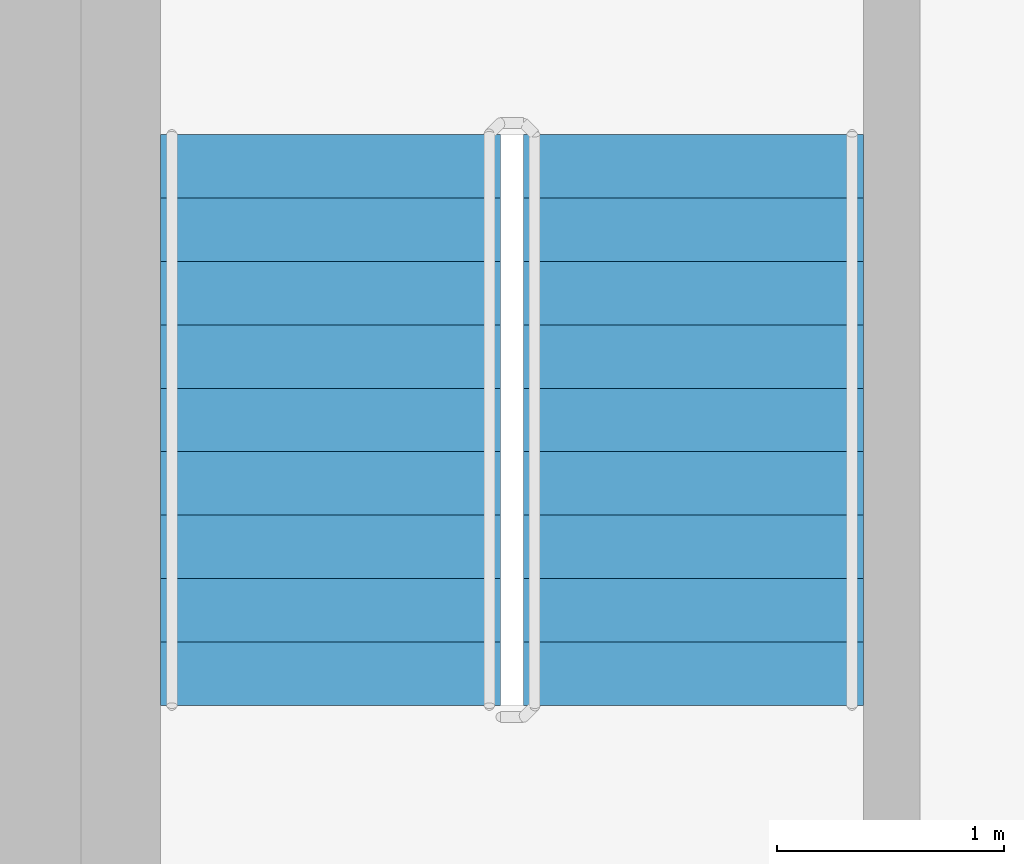
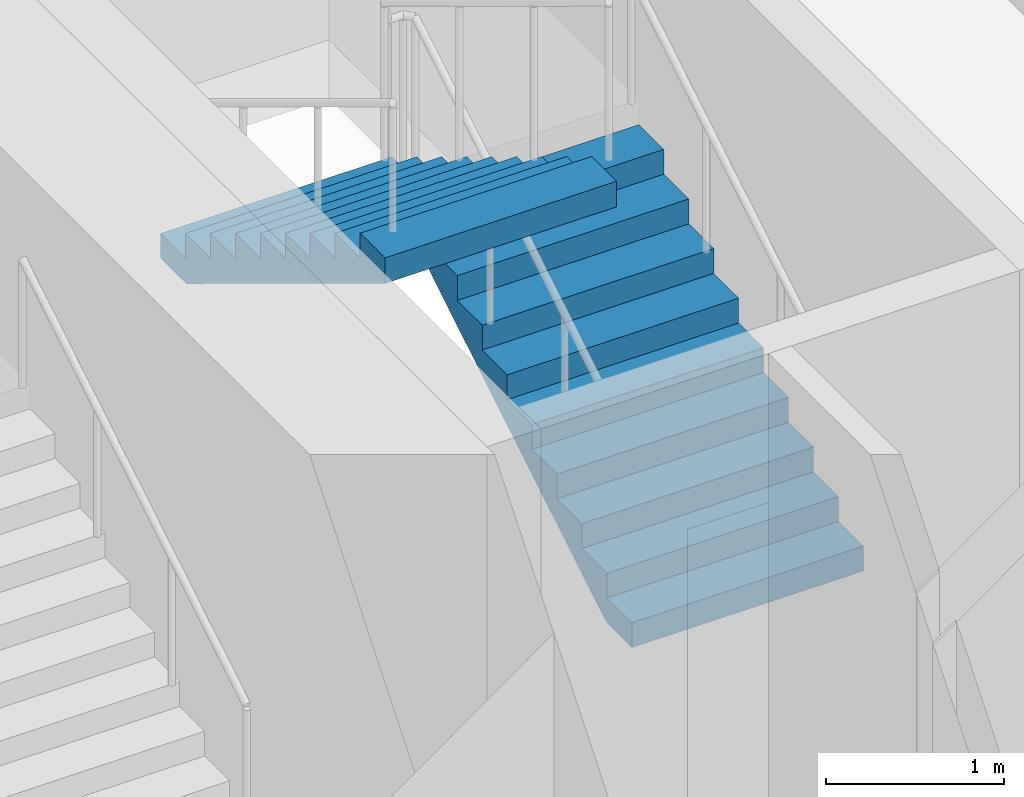
# One storey, part 14 of 16: 2 stair flights, 1 element without a shape of its own.
"""IFC4 building model written with IfcOpenShell, lengths in metres."""

import ifcopenshell
import ifcopenshell.guid

model = None  # the IFC model being written
_history = None  # IfcOwnerHistory: only IFC2X3 demands one
_inside = {}  # id of a spatial element -> (the spatial element, [elements in it])
_under = {}  # id of a project, library or spatial element -> (it, [spatial elements below it])
_declared = {}  # id of a project -> (the project, [libraries it declares])
_typed = {}  # id of a type object -> (the type object, [elements of that type])
_made_of = {}  # id of a material, layer set ... -> (it, [elements and type objects made of it])


def new_model(schema):
    """Start an empty IFC model of exactly this schema.

    Asked for "IFC4X3", IfcOpenShell would pick the latest addendum, in which some entities
    have other attributes; the version numbers below select the first issue.
    IFC2X3 requires an IfcOwnerHistory on every rooted entity: one is made here for all.
    """
    global model, _history
    if schema == "IFC4X3":
        model = ifcopenshell.file(schema_version=(4, 3, 0, 0))
    else:
        model = ifcopenshell.file(schema=schema)
    _inside.clear()
    _under.clear()
    _declared.clear()
    _typed.clear()
    _made_of.clear()
    _history = None
    if model.schema == "IFC2X3":
        org = make("IfcOrganization", Name="unknown")
        user = make(
            "IfcPersonAndOrganization",
            ThePerson=make("IfcPerson", FamilyName="unknown"),
            TheOrganization=org,
        )
        app = make(
            "IfcApplication",
            ApplicationDeveloper=org,
            Version="unknown",
            ApplicationFullName="unknown",
            ApplicationIdentifier="unknown",
        )
        _history = make(
            "IfcOwnerHistory",
            OwningUser=user,
            OwningApplication=app,
            ChangeAction="ADDED",
            CreationDate=0,
        )
    return model


def make(cls, **values):
    """One entity of the class cls with the attributes given. An attribute that is None is left unset."""
    return model.create_entity(
        cls, **{name: value for name, value in values.items() if value is not None}
    )


def rooted(cls, **values):
    """An entity with a GlobalId (a new one), such as an element, a storey or a relation."""
    return make(cls, GlobalId=ifcopenshell.guid.new(), OwnerHistory=_history, **values)


def si_unit(unit_type, name, prefix=None):
    """IfcSIUnit, for example si_unit("LENGTHUNIT", "METRE", prefix="MILLI")."""
    return make("IfcSIUnit", UnitType=unit_type, Prefix=prefix, Name=name)


def assignment(units):
    """IfcUnitAssignment: the units of a project."""
    return None if units is None else make("IfcUnitAssignment", Units=units)


def point(xyz):
    """IfcCartesianPoint."""
    return None if xyz is None else make("IfcCartesianPoint", Coordinates=xyz)


def direction(xyz):
    """IfcDirection."""
    return None if xyz is None else make("IfcDirection", DirectionRatios=xyz)


def frame(location, z_axis=None, x_axis=None):
    """IfcAxis2Placement3D, a coordinate frame: its origin and axes. An axis left out is left unset."""
    return make(
        "IfcAxis2Placement3D",
        Location=point(location),
        Axis=direction(z_axis),
        RefDirection=direction(x_axis),
    )


def origin():
    """The frame at (0, 0, 0) with its axes left unset."""
    return frame((0.0, 0.0, 0.0))


def place(relative_to, where):
    """IfcLocalPlacement: puts the frame where relative to a parent placement (None: the world)."""
    return make(
        "IfcLocalPlacement", PlacementRelTo=relative_to, RelativePlacement=where
    )


def context(
    kind, dimensions, precision=None, world=None, true_north=None, identifier=None
):
    """IfcGeometricRepresentationContext, for example the 3D "Model" context."""
    return make(
        "IfcGeometricRepresentationContext",
        ContextIdentifier=identifier,
        ContextType=kind,
        CoordinateSpaceDimension=dimensions,
        Precision=precision,
        WorldCoordinateSystem=world,
        TrueNorth=true_north,
    )


def subcontext(parent, identifier, kind, view, scale=None):
    """IfcGeometricRepresentationSubContext, for example "Body" below "Model"."""
    return make(
        "IfcGeometricRepresentationSubContext",
        ContextIdentifier=identifier,
        ContextType=kind,
        ParentContext=parent,
        TargetScale=scale,
        TargetView=view,
    )


def project(units=None, contexts=None):
    """IfcProject with its units and contexts."""
    return rooted(
        "IfcProject",
        Name="project",
        RepresentationContexts=contexts,
        UnitsInContext=assignment(units),
    )


def spatial(cls, under=None, at=None, **own):
    """A site, building, storey or space (cls), placed at a placement, below another one or the project."""
    s = rooted(cls, ObjectPlacement=at, **own)
    if under is not None:
        _under.setdefault(under.id(), (under, []))[1].append(s)
    return s


def point_list(points):
    """IfcCartesianPointList2D or 3D."""
    cls = (
        "IfcCartesianPointList2D" if len(points[0]) == 2 else "IfcCartesianPointList3D"
    )
    return make(cls, CoordList=points)


def triangles(points, corners, closed=None, point_numbers=None):
    """IfcTriangulatedFaceSet: each triangle names its three corners, points numbered from 1."""
    return make(
        "IfcTriangulatedFaceSet",
        Coordinates=point_list(points),
        Closed=closed,
        CoordIndex=corners,
        PnIndex=point_numbers,
    )


def shape(context_of_items, identifier, shape_type, items):
    """IfcShapeRepresentation: the items that make up one representation, for example the "Body"."""
    return make(
        "IfcShapeRepresentation",
        ContextOfItems=context_of_items,
        RepresentationIdentifier=identifier,
        RepresentationType=shape_type,
        Items=items,
    )


def source(mapping_origin, context_of_items, identifier, shape_type, items):
    """IfcRepresentationMap: a shape defined once, which mapped items show again and again."""
    return make(
        "IfcRepresentationMap",
        MappingOrigin=mapping_origin,
        MappedRepresentation=shape(context_of_items, identifier, shape_type, items),
    )


def transform(
    local_origin,
    x_axis=None,
    y_axis=None,
    z_axis=None,
    scale=None,
    scale2=None,
    scale3=None,
    uniform=True,
):
    """IfcCartesianTransformationOperator3D, or its non-uniform kind. x_axis, y_axis, z_axis: its Axis1, 2, 3."""
    if uniform:
        return make(
            "IfcCartesianTransformationOperator3D",
            Axis1=direction(x_axis),
            Axis2=direction(y_axis),
            LocalOrigin=point(local_origin),
            Scale=scale,
            Axis3=direction(z_axis),
        )
    return make(
        "IfcCartesianTransformationOperator3DnonUniform",
        Axis1=direction(x_axis),
        Axis2=direction(y_axis),
        LocalOrigin=point(local_origin),
        Scale=scale,
        Axis3=direction(z_axis),
        Scale2=scale2,
        Scale3=scale3,
    )


def mapped(mapping_source, mapping_target):
    """IfcMappedItem: shows the shape of a source again, moved by a transform."""
    return make(
        "IfcMappedItem", MappingSource=mapping_source, MappingTarget=mapping_target
    )


def material(Name=None, Category=None):
    """IfcMaterial."""
    return make("IfcMaterial", Name=Name, Category=Category)


def made_of(thing, what):
    """Note that an element or type object is made of a material, layer set ...; save() writes the relation."""
    if what is not None:
        _made_of.setdefault(what.id(), (what, []))[1].append(thing)
    return thing


def type_object(cls, material=None, **own):
    """A type object (cls), such as IfcWallType, which elements share."""
    return made_of(rooted(cls, **own), material)


def element(
    cls,
    number,
    at=None,
    inside=None,
    cuts=None,
    type_object=None,
    material=None,
    context=None,
    identifier="Body",
    shape_type=None,
    held_by="IfcProductDefinitionShape",
    body=None,
    shapes=None,
    **own,
):
    """One element of the class cls, such as IfcWall. Its Tag is "e" and its number.

    at: its placement. inside: the storey or other place that contains it. cuts: it is an
    opening in that element (IfcRelVoidsElement). A single representation is given by context,
    identifier, shape_type and body (its items); several are given by shapes. held_by: the class
    of the entity that holds the representations. save() writes the other relations.
    """
    e = rooted(cls, Tag="e%d" % number, ObjectPlacement=at, **own)
    if body is not None:
        shapes = [shape(context, identifier, shape_type, body)]
    if shapes is not None:
        e.Representation = make(held_by, Representations=shapes)
    if inside is not None:
        _inside.setdefault(inside.id(), (inside, []))[1].append(e)
    if cuts is not None:
        rooted(
            "IfcRelVoidsElement", RelatingBuildingElement=cuts, RelatedOpeningElement=e
        )
    if type_object is not None:
        _typed.setdefault(type_object.id(), (type_object, []))[1].append(e)
    return made_of(e, material)


def aggregate(whole, parts):
    """IfcRelAggregates: a whole, such as a stair, and the parts it consists of."""
    return rooted("IfcRelAggregates", RelatingObject=whole, RelatedObjects=parts)


def save(model, path):
    """Write the relations noted so far, then the file.

    IfcRelAggregates (storeys below a building ...), IfcRelContainedInSpatialStructure (elements
    in a storey), IfcRelDefinesByType, IfcRelAssociatesMaterial and IfcRelDeclares: one each for
    every whole, place, type object, material and project.
    """
    for whole, parts in _under.values():
        aggregate(whole, parts)
    for where, things in _inside.values():
        rooted(
            "IfcRelContainedInSpatialStructure",
            RelatedElements=things,
            RelatingStructure=where,
        )
    for kind, things in _typed.values():
        rooted("IfcRelDefinesByType", RelatedObjects=things, RelatingType=kind)
    for what, things in _made_of.values():
        rooted("IfcRelAssociatesMaterial", RelatedObjects=things, RelatingMaterial=what)
    for by, libraries in _declared.values():
        rooted("IfcRelDeclares", RelatingContext=by, RelatedDefinitions=libraries)
    model.write(path)


model = new_model("IFC4")

# Units and contexts
model_context = context("Model", 3, precision=1e-05, world=origin(), true_north=direction((0.0, 1.0)))
body_context = subcontext(model_context, "Body", "Model", "MODEL_VIEW")
ifc_project = project(units=[si_unit("LENGTHUNIT", "METRE"), si_unit("AREAUNIT", "SQUARE_METRE"), si_unit("VOLUMEUNIT", "CUBIC_METRE"), si_unit("PLANEANGLEUNIT", "RADIAN"), si_unit("MASSUNIT", "GRAM", prefix="KILO")], contexts=[model_context])

# Site, building, storey
site_placement = place(None, origin())
site = spatial("IfcSite", under=ifc_project, at=site_placement, CompositionType="ELEMENT")
building_placement = place(site_placement, origin())
building = spatial("IfcBuilding", under=site, at=building_placement, Name="Kilnfold Tower and Market Hall", CompositionType="ELEMENT")
storey_placement = place(building_placement, frame((0.0, 0.0, 168.5)))
storey = spatial("IfcBuildingStorey", under=building, at=storey_placement, Name="L39", CompositionType="ELEMENT", Elevation=168.5)

# Stair, stair flights
ifc_material_1 = material(Name="Concrete C40/50", Category="concrete")
stair_type = type_object("IfcStairType", Name="CORE STAIR 1500", PredefinedType="HALF_TURN_STAIR", material=ifc_material_1)
stair_placement = place(storey_placement, origin())
stair = element("IfcStair", 1, at=stair_placement, inside=storey, type_object=stair_type, Name="L39 ST5", PredefinedType="HALF_TURN_STAIR")
ifc_material_2 = material(Name="Concrete C40/50", Category="concrete")
stair_flight_type = type_object("IfcStairFlightType", Name="CORE STAIR FLIGHT 1500", PredefinedType="STRAIGHT", material=ifc_material_2)
shared_shape = source(origin(), body_context, "Body", "Tessellation", [
    triangles([(0.0, 0.75, 0.0), (0.0, 0.65625, 0.0), (0.0, 0.5625, 0.0), (0.0, 0.46875, 0.0), (0.0, 0.375, 0.0), (0.0, 0.28125, 0.0), (0.0, 0.1875, 0.0), (0.0, 0.09375, 0.0), (0.0, 0.0, 0.0), (0.0, -0.09375, 0.0), (0.0, -0.1875, 0.0), (0.0, -0.28125, 0.0), (0.0, -0.375, 0.0), (0.0, -0.46875, 0.0), (0.0, -0.5625, 0.0), (0.0, -0.65625, 0.0), (0.0, -0.75, 0.0), (0.0, 0.75, 0.169921875), (0.0, 0.65625, 0.169921875), (0.0, 0.5625, 0.169921875), (0.0, 0.46875, 0.169921875), (0.0, 0.375, 0.169921875), (0.0, 0.28125, 0.169921875), (0.0, 0.1875, 0.169921875), (0.0, 0.09375, 0.169921875), (0.0, 0.0, 0.169921875), (0.0, -0.09375, 0.169921875), (0.0, -0.1875, 0.169921875), (0.0, -0.28125, 0.169921875), (0.0, -0.375, 0.169921875), (0.0, -0.46875, 0.169921875), (0.0, -0.5625, 0.169921875), (0.0, -0.65625, 0.169921875), (0.0, -0.75, 0.169921875), (0.280029296875, 0.75, 0.169921875), (0.280029296875, 0.65625, 0.169921875), (0.280029296875, 0.5625, 0.169921875), (0.280029296875, 0.46875, 0.169921875), (0.280029296875, 0.375, 0.169921875), (0.280029296875, 0.28125, 0.169921875), (0.280029296875, 0.1875, 0.169921875), (0.280029296875, 0.09375, 0.169921875), (0.280029296875, 0.0, 0.169921875), (0.280029296875, -0.09375, 0.169921875), (0.280029296875, -0.1875, 0.169921875), (0.280029296875, -0.28125, 0.169921875), (0.280029296875, -0.375, 0.169921875), (0.280029296875, -0.46875, 0.169921875), (0.280029296875, -0.5625, 0.169921875), (0.280029296875, -0.65625, 0.169921875), (0.280029296875, -0.75, 0.169921875), (0.280029296875, 0.75, 0.340087890625), (0.280029296875, 0.65625, 0.340087890625), (0.280029296875, 0.5625, 0.340087890625), (0.280029296875, 0.46875, 0.340087890625), (0.280029296875, 0.375, 0.340087890625), (0.280029296875, 0.28125, 0.340087890625), (0.280029296875, 0.1875, 0.340087890625), (0.280029296875, 0.09375, 0.340087890625), (0.280029296875, 0.0, 0.340087890625), (0.280029296875, -0.09375, 0.340087890625), (0.280029296875, -0.1875, 0.340087890625), (0.280029296875, -0.28125, 0.340087890625), (0.280029296875, -0.375, 0.340087890625), (0.280029296875, -0.46875, 0.340087890625), (0.280029296875, -0.5625, 0.340087890625), (0.280029296875, -0.65625, 0.340087890625), (0.280029296875, -0.75, 0.340087890625), (0.56005859375, 0.75, 0.340087890625), (0.56005859375, 0.65625, 0.340087890625), (0.56005859375, 0.5625, 0.340087890625), (0.56005859375, 0.46875, 0.340087890625), (0.56005859375, 0.375, 0.340087890625), (0.56005859375, 0.28125, 0.340087890625), (0.56005859375, 0.1875, 0.340087890625), (0.56005859375, 0.09375, 0.340087890625), (0.56005859375, 0.0, 0.340087890625), (0.56005859375, -0.09375, 0.340087890625), (0.56005859375, -0.1875, 0.340087890625), (0.56005859375, -0.28125, 0.340087890625), (0.56005859375, -0.375, 0.340087890625), (0.56005859375, -0.46875, 0.340087890625), (0.56005859375, -0.5625, 0.340087890625), (0.56005859375, -0.65625, 0.340087890625), (0.56005859375, -0.75, 0.340087890625), (0.56005859375, 0.75, 0.510009765625), (0.56005859375, 0.65625, 0.510009765625), (0.56005859375, 0.5625, 0.510009765625), (0.56005859375, 0.46875, 0.510009765625), (0.56005859375, 0.375, 0.510009765625), (0.56005859375, 0.28125, 0.510009765625), (0.56005859375, 0.1875, 0.510009765625), (0.56005859375, 0.09375, 0.510009765625), (0.56005859375, 0.0, 0.510009765625), (0.56005859375, -0.09375, 0.510009765625), (0.56005859375, -0.1875, 0.510009765625), (0.56005859375, -0.28125, 0.510009765625), (0.56005859375, -0.375, 0.510009765625), (0.56005859375, -0.46875, 0.510009765625), (0.56005859375, -0.5625, 0.510009765625), (0.56005859375, -0.65625, 0.510009765625), (0.56005859375, -0.75, 0.510009765625), (0.840087890625, 0.75, 0.510009765625), (0.840087890625, 0.65625, 0.510009765625), (0.840087890625, 0.5625, 0.510009765625), (0.840087890625, 0.46875, 0.510009765625), (0.840087890625, 0.375, 0.510009765625), (0.840087890625, 0.28125, 0.510009765625), (0.840087890625, 0.1875, 0.510009765625), (0.840087890625, 0.09375, 0.510009765625), (0.840087890625, 0.0, 0.510009765625), (0.840087890625, -0.09375, 0.510009765625), (0.840087890625, -0.1875, 0.510009765625), (0.840087890625, -0.28125, 0.510009765625), (0.840087890625, -0.375, 0.510009765625), (0.840087890625, -0.46875, 0.510009765625), (0.840087890625, -0.5625, 0.510009765625), (0.840087890625, -0.65625, 0.510009765625), (0.840087890625, -0.75, 0.510009765625), (0.840087890625, 0.75, 0.679931640625), (0.840087890625, 0.65625, 0.679931640625), (0.840087890625, 0.5625, 0.679931640625), (0.840087890625, 0.46875, 0.679931640625), (0.840087890625, 0.375, 0.679931640625), (0.840087890625, 0.28125, 0.679931640625), (0.840087890625, 0.1875, 0.679931640625), (0.840087890625, 0.09375, 0.679931640625), (0.840087890625, 0.0, 0.679931640625), (0.840087890625, -0.09375, 0.679931640625), (0.840087890625, -0.1875, 0.679931640625), (0.840087890625, -0.28125, 0.679931640625), (0.840087890625, -0.375, 0.679931640625), (0.840087890625, -0.46875, 0.679931640625), (0.840087890625, -0.5625, 0.679931640625), (0.840087890625, -0.65625, 0.679931640625), (0.840087890625, -0.75, 0.679931640625), (1.1201171875, 0.75, 0.679931640625), (1.1201171875, 0.65625, 0.679931640625), (1.1201171875, 0.5625, 0.679931640625), (1.1201171875, 0.46875, 0.679931640625), (1.1201171875, 0.375, 0.679931640625), (1.1201171875, 0.28125, 0.679931640625), (1.1201171875, 0.1875, 0.679931640625), (1.1201171875, 0.09375, 0.679931640625), (1.1201171875, 0.0, 0.679931640625), (1.1201171875, -0.09375, 0.679931640625), (1.1201171875, -0.1875, 0.679931640625), (1.1201171875, -0.28125, 0.679931640625), (1.1201171875, -0.375, 0.679931640625), (1.1201171875, -0.46875, 0.679931640625), (1.1201171875, -0.5625, 0.679931640625), (1.1201171875, -0.65625, 0.679931640625), (1.1201171875, -0.75, 0.679931640625), (1.1201171875, 0.75, 0.85009765625), (1.1201171875, 0.65625, 0.85009765625), (1.1201171875, 0.5625, 0.85009765625), (1.1201171875, 0.46875, 0.85009765625), (1.1201171875, 0.375, 0.85009765625), (1.1201171875, 0.28125, 0.85009765625), (1.1201171875, 0.1875, 0.85009765625), (1.1201171875, 0.09375, 0.85009765625), (1.1201171875, 0.0, 0.85009765625), (1.1201171875, -0.09375, 0.85009765625), (1.1201171875, -0.1875, 0.85009765625), (1.1201171875, -0.28125, 0.85009765625), (1.1201171875, -0.375, 0.85009765625), (1.1201171875, -0.46875, 0.85009765625), (1.1201171875, -0.5625, 0.85009765625), (1.1201171875, -0.65625, 0.85009765625), (1.1201171875, -0.75, 0.85009765625), (1.39990234375, 0.75, 0.85009765625), (1.39990234375, 0.65625, 0.85009765625), (1.39990234375, 0.5625, 0.85009765625), (1.39990234375, 0.46875, 0.85009765625), (1.39990234375, 0.375, 0.85009765625), (1.39990234375, 0.28125, 0.85009765625), (1.39990234375, 0.1875, 0.85009765625), (1.39990234375, 0.09375, 0.85009765625), (1.39990234375, 0.0, 0.85009765625), (1.39990234375, -0.09375, 0.85009765625), (1.39990234375, -0.1875, 0.85009765625), (1.39990234375, -0.28125, 0.85009765625), (1.39990234375, -0.375, 0.85009765625), (1.39990234375, -0.46875, 0.85009765625), (1.39990234375, -0.5625, 0.85009765625), (1.39990234375, -0.65625, 0.85009765625), (1.39990234375, -0.75, 0.85009765625), (1.39990234375, 0.75, 1.02001953125), (1.39990234375, 0.65625, 1.02001953125), (1.39990234375, 0.5625, 1.02001953125), (1.39990234375, 0.46875, 1.02001953125), (1.39990234375, 0.375, 1.02001953125), (1.39990234375, 0.28125, 1.02001953125), (1.39990234375, 0.1875, 1.02001953125), (1.39990234375, 0.09375, 1.02001953125), (1.39990234375, 0.0, 1.02001953125), (1.39990234375, -0.09375, 1.02001953125), (1.39990234375, -0.1875, 1.02001953125), (1.39990234375, -0.28125, 1.02001953125), (1.39990234375, -0.375, 1.02001953125), (1.39990234375, -0.46875, 1.02001953125), (1.39990234375, -0.5625, 1.02001953125), (1.39990234375, -0.65625, 1.02001953125), (1.39990234375, -0.75, 1.02001953125), (1.679931640625, 0.75, 1.02001953125), (1.679931640625, 0.65625, 1.02001953125), (1.679931640625, 0.5625, 1.02001953125), (1.679931640625, 0.46875, 1.02001953125), (1.679931640625, 0.375, 1.02001953125), (1.679931640625, 0.28125, 1.02001953125), (1.679931640625, 0.1875, 1.02001953125), (1.679931640625, 0.09375, 1.02001953125), (1.679931640625, 0.0, 1.02001953125), (1.679931640625, -0.09375, 1.02001953125), (1.679931640625, -0.1875, 1.02001953125), (1.679931640625, -0.28125, 1.02001953125), (1.679931640625, -0.375, 1.02001953125), (1.679931640625, -0.46875, 1.02001953125), (1.679931640625, -0.5625, 1.02001953125), (1.679931640625, -0.65625, 1.02001953125), (1.679931640625, -0.75, 1.02001953125), (1.679931640625, 0.75, 1.18994140625), (1.679931640625, 0.65625, 1.18994140625), (1.679931640625, 0.5625, 1.18994140625), (1.679931640625, 0.46875, 1.18994140625), (1.679931640625, 0.375, 1.18994140625), (1.679931640625, 0.28125, 1.18994140625), (1.679931640625, 0.1875, 1.18994140625), (1.679931640625, 0.09375, 1.18994140625), (1.679931640625, 0.0, 1.18994140625), (1.679931640625, -0.09375, 1.18994140625), (1.679931640625, -0.1875, 1.18994140625), (1.679931640625, -0.28125, 1.18994140625), (1.679931640625, -0.375, 1.18994140625), (1.679931640625, -0.46875, 1.18994140625), (1.679931640625, -0.5625, 1.18994140625), (1.679931640625, -0.65625, 1.18994140625), (1.679931640625, -0.75, 1.18994140625), (1.9599609375, 0.75, 1.18994140625), (1.9599609375, 0.65625, 1.18994140625), (1.9599609375, 0.5625, 1.18994140625), (1.9599609375, 0.46875, 1.18994140625), (1.9599609375, 0.375, 1.18994140625), (1.9599609375, 0.28125, 1.18994140625), (1.9599609375, 0.1875, 1.18994140625), (1.9599609375, 0.09375, 1.18994140625), (1.9599609375, 0.0, 1.18994140625), (1.9599609375, -0.09375, 1.18994140625), (1.9599609375, -0.1875, 1.18994140625), (1.9599609375, -0.28125, 1.18994140625), (1.9599609375, -0.375, 1.18994140625), (1.9599609375, -0.46875, 1.18994140625), (1.9599609375, -0.5625, 1.18994140625), (1.9599609375, -0.65625, 1.18994140625), (1.9599609375, -0.75, 1.18994140625), (1.9599609375, 0.75, 1.360107421875), (1.9599609375, 0.65625, 1.360107421875), (1.9599609375, 0.5625, 1.360107421875), (1.9599609375, 0.46875, 1.360107421875), (1.9599609375, 0.375, 1.360107421875), (1.9599609375, 0.28125, 1.360107421875), (1.9599609375, 0.1875, 1.360107421875), (1.9599609375, 0.09375, 1.360107421875), (1.9599609375, 0.0, 1.360107421875), (1.9599609375, -0.09375, 1.360107421875), (1.9599609375, -0.1875, 1.360107421875), (1.9599609375, -0.28125, 1.360107421875), (1.9599609375, -0.375, 1.360107421875), (1.9599609375, -0.46875, 1.360107421875), (1.9599609375, -0.5625, 1.360107421875), (1.9599609375, -0.65625, 1.360107421875), (1.9599609375, -0.75, 1.360107421875), (2.239990234375, 0.75, 1.360107421875), (2.239990234375, 0.65625, 1.360107421875), (2.239990234375, 0.5625, 1.360107421875), (2.239990234375, 0.46875, 1.360107421875), (2.239990234375, 0.375, 1.360107421875), (2.239990234375, 0.28125, 1.360107421875), (2.239990234375, 0.1875, 1.360107421875), (2.239990234375, 0.09375, 1.360107421875), (2.239990234375, 0.0, 1.360107421875), (2.239990234375, -0.09375, 1.360107421875), (2.239990234375, -0.1875, 1.360107421875), (2.239990234375, -0.28125, 1.360107421875), (2.239990234375, -0.375, 1.360107421875), (2.239990234375, -0.46875, 1.360107421875), (2.239990234375, -0.5625, 1.360107421875), (2.239990234375, -0.65625, 1.360107421875), (2.239990234375, -0.75, 1.360107421875), (2.239990234375, 0.75, 1.530029296875), (2.239990234375, 0.65625, 1.530029296875), (2.239990234375, 0.5625, 1.530029296875), (2.239990234375, 0.46875, 1.530029296875), (2.239990234375, 0.375, 1.530029296875), (2.239990234375, 0.28125, 1.530029296875), (2.239990234375, 0.1875, 1.530029296875), (2.239990234375, 0.09375, 1.530029296875), (2.239990234375, 0.0, 1.530029296875), (2.239990234375, -0.09375, 1.530029296875), (2.239990234375, -0.1875, 1.530029296875), (2.239990234375, -0.28125, 1.530029296875), (2.239990234375, -0.375, 1.530029296875), (2.239990234375, -0.46875, 1.530029296875), (2.239990234375, -0.5625, 1.530029296875), (2.239990234375, -0.65625, 1.530029296875), (2.239990234375, -0.75, 1.530029296875), (2.52001953125, 0.75, 1.530029296875), (2.52001953125, 0.65625, 1.530029296875), (2.52001953125, 0.5625, 1.530029296875), (2.52001953125, 0.46875, 1.530029296875), (2.52001953125, 0.375, 1.530029296875), (2.52001953125, 0.28125, 1.530029296875), (2.52001953125, 0.1875, 1.530029296875), (2.52001953125, 0.09375, 1.530029296875), (2.52001953125, 0.0, 1.530029296875), (2.52001953125, -0.09375, 1.530029296875), (2.52001953125, -0.1875, 1.530029296875), (2.52001953125, -0.28125, 1.530029296875), (2.52001953125, -0.375, 1.530029296875), (2.52001953125, -0.46875, 1.530029296875), (2.52001953125, -0.5625, 1.530029296875), (2.52001953125, -0.65625, 1.530029296875), (2.52001953125, -0.75, 1.530029296875), (2.52001953125, 0.75, 1.354736328125), (2.52001953125, 0.65625, 1.354736328125), (2.52001953125, 0.5625, 1.354736328125), (2.52001953125, 0.46875, 1.354736328125), (2.52001953125, 0.375, 1.354736328125), (2.52001953125, 0.28125, 1.354736328125), (2.52001953125, 0.1875, 1.354736328125), (2.52001953125, 0.09375, 1.354736328125), (2.52001953125, 0.0, 1.354736328125), (2.52001953125, -0.09375, 1.354736328125), (2.52001953125, -0.1875, 1.354736328125), (2.52001953125, -0.28125, 1.354736328125), (2.52001953125, -0.375, 1.354736328125), (2.52001953125, -0.46875, 1.354736328125), (2.52001953125, -0.5625, 1.354736328125), (2.52001953125, -0.65625, 1.354736328125), (2.52001953125, -0.75, 1.354736328125), (0.288818359375, 0.75, 0.0), (0.288818359375, 0.65625, 0.0), (0.288818359375, 0.5625, 0.0), (0.288818359375, 0.46875, 0.0), (0.288818359375, 0.375, 0.0), (0.288818359375, 0.28125, 0.0), (0.288818359375, 0.1875, 0.0), (0.288818359375, 0.09375, 0.0), (0.288818359375, 0.0, 0.0), (0.288818359375, -0.09375, 0.0), (0.288818359375, -0.1875, 0.0), (0.288818359375, -0.28125, 0.0), (0.288818359375, -0.375, 0.0), (0.288818359375, -0.46875, 0.0), (0.288818359375, -0.5625, 0.0), (0.288818359375, -0.65625, 0.0), (0.288818359375, -0.75, 0.0)], [[1, 324, 341], [17, 357, 340], [324, 290, 307], [340, 323, 306], [324, 273, 290], [340, 306, 289], [324, 256, 273], [340, 289, 272], [324, 239, 256], [340, 272, 255], [239, 205, 222], [255, 238, 221], [324, 205, 239], [340, 255, 221], [205, 171, 188], [221, 204, 187], [324, 171, 205], [340, 221, 187], [171, 137, 154], [187, 170, 153], [324, 137, 171], [340, 187, 153], [137, 103, 120], [153, 136, 119], [324, 103, 137], [340, 153, 119], [103, 69, 86], [119, 102, 85], [324, 69, 103], [340, 119, 85], [69, 35, 52], [85, 68, 51], [324, 35, 69], [340, 85, 51], [1, 35, 324], [17, 340, 51], [35, 1, 18], [51, 34, 17], [1, 19, 18], [1, 2, 19], [2, 20, 19], [2, 3, 20], [3, 21, 20], [3, 4, 21], [4, 22, 21], [4, 5, 22], [5, 23, 22], [5, 6, 23], [6, 24, 23], [6, 7, 24], [7, 25, 24], [7, 8, 25], [8, 26, 25], [8, 9, 26], [9, 27, 26], [9, 10, 27], [10, 28, 27], [10, 11, 28], [11, 29, 28], [11, 12, 29], [12, 30, 29], [12, 13, 30], [13, 31, 30], [13, 14, 31], [14, 32, 31], [14, 15, 32], [15, 33, 32], [15, 16, 33], [16, 34, 33], [16, 17, 34], [18, 36, 35], [18, 19, 36], [19, 37, 36], [19, 20, 37], [20, 38, 37], [20, 21, 38], [21, 39, 38], [21, 22, 39], [22, 40, 39], [22, 23, 40], [23, 41, 40], [23, 24, 41], [24, 42, 41], [24, 25, 42], [25, 43, 42], [25, 26, 43], [26, 44, 43], [26, 27, 44], [27, 45, 44], [27, 28, 45], [28, 46, 45], [28, 29, 46], [29, 47, 46], [29, 30, 47], [30, 48, 47], [30, 31, 48], [31, 49, 48], [31, 32, 49], [32, 50, 49], [32, 33, 50], [33, 51, 50], [33, 34, 51], [35, 53, 52], [35, 36, 53], [36, 54, 53], [36, 37, 54], [37, 55, 54], [37, 38, 55], [38, 56, 55], [38, 39, 56], [39, 57, 56], [39, 40, 57], [40, 58, 57], [40, 41, 58], [41, 59, 58], [41, 42, 59], [42, 60, 59], [42, 43, 60], [43, 61, 60], [43, 44, 61], [44, 62, 61], [44, 45, 62], [45, 63, 62], [45, 46, 63], [46, 64, 63], [46, 47, 64], [47, 65, 64], [47, 48, 65], [48, 66, 65], [48, 49, 66], [49, 67, 66], [49, 50, 67], [50, 68, 67], [50, 51, 68], [52, 70, 69], [52, 53, 70], [53, 71, 70], [53, 54, 71], [54, 72, 71], [54, 55, 72], [55, 73, 72], [55, 56, 73], [56, 74, 73], [56, 57, 74], [57, 75, 74], [57, 58, 75], [58, 76, 75], [58, 59, 76], [59, 77, 76], [59, 60, 77], [60, 78, 77], [60, 61, 78], [61, 79, 78], [61, 62, 79], [62, 80, 79], [62, 63, 80], [63, 81, 80], [63, 64, 81], [64, 82, 81], [64, 65, 82], [65, 83, 82], [65, 66, 83], [66, 84, 83], [66, 67, 84], [67, 85, 84], [67, 68, 85], [69, 87, 86], [69, 70, 87], [70, 88, 87], [70, 71, 88], [71, 89, 88], [71, 72, 89], [72, 90, 89], [72, 73, 90], [73, 91, 90], [73, 74, 91], [74, 92, 91], [74, 75, 92], [75, 93, 92], [75, 76, 93], [76, 94, 93], [76, 77, 94], [77, 95, 94], [77, 78, 95], [78, 96, 95], [78, 79, 96], [79, 97, 96], [79, 80, 97], [80, 98, 97], [80, 81, 98], [81, 99, 98], [81, 82, 99], [82, 100, 99], [82, 83, 100], [83, 101, 100], [83, 84, 101], [84, 102, 101], [84, 85, 102], [86, 104, 103], [86, 87, 104], [87, 105, 104], [87, 88, 105], [88, 106, 105], [88, 89, 106], [89, 107, 106], [89, 90, 107], [90, 108, 107], [90, 91, 108], [91, 109, 108], [91, 92, 109], [92, 110, 109], [92, 93, 110], [93, 111, 110], [93, 94, 111], [94, 112, 111], [94, 95, 112], [95, 113, 112], [95, 96, 113], [96, 114, 113], [96, 97, 114], [97, 115, 114], [97, 98, 115], [98, 116, 115], [98, 99, 116], [99, 117, 116], [99, 100, 117], [100, 118, 117], [100, 101, 118], [101, 119, 118], [101, 102, 119], [103, 121, 120], [103, 104, 121], [104, 122, 121], [104, 105, 122], [105, 123, 122], [105, 106, 123], [106, 124, 123], [106, 107, 124], [107, 125, 124], [107, 108, 125], [108, 126, 125], [108, 109, 126], [109, 127, 126], [109, 110, 127], [110, 128, 127], [110, 111, 128], [111, 129, 128], [111, 112, 129], [112, 130, 129], [112, 113, 130], [113, 131, 130], [113, 114, 131], [114, 132, 131], [114, 115, 132], [115, 133, 132], [115, 116, 133], [116, 134, 133], [116, 117, 134], [117, 135, 134], [117, 118, 135], [118, 136, 135], [118, 119, 136], [120, 138, 137], [120, 121, 138], [121, 139, 138], [121, 122, 139], [122, 140, 139], [122, 123, 140], [123, 141, 140], [123, 124, 141], [124, 142, 141], [124, 125, 142], [125, 143, 142], [125, 126, 143], [126, 144, 143], [126, 127, 144], [127, 145, 144], [127, 128, 145], [128, 146, 145], [128, 129, 146], [129, 147, 146], [129, 130, 147], [130, 148, 147], [130, 131, 148], [131, 149, 148], [131, 132, 149], [132, 150, 149], [132, 133, 150], [133, 151, 150], [133, 134, 151], [134, 152, 151], [134, 135, 152], [135, 153, 152], [135, 136, 153], [137, 155, 154], [137, 138, 155], [138, 156, 155], [138, 139, 156], [139, 157, 156], [139, 140, 157], [140, 158, 157], [140, 141, 158], [141, 159, 158], [141, 142, 159], [142, 160, 159], [142, 143, 160], [143, 161, 160], [143, 144, 161], [144, 162, 161], [144, 145, 162], [145, 163, 162], [145, 146, 163], [146, 164, 163], [146, 147, 164], [147, 165, 164], [147, 148, 165], [148, 166, 165], [148, 149, 166], [149, 167, 166], [149, 150, 167], [150, 168, 167], [150, 151, 168], [151, 169, 168], [151, 152, 169], [152, 170, 169], [152, 153, 170], [154, 172, 171], [154, 155, 172], [155, 173, 172], [155, 156, 173], [156, 174, 173], [156, 157, 174], [157, 175, 174], [157, 158, 175], [158, 176, 175], [158, 159, 176], [159, 177, 176], [159, 160, 177], [160, 178, 177], [160, 161, 178], [161, 179, 178], [161, 162, 179], [162, 180, 179], [162, 163, 180], [163, 181, 180], [163, 164, 181], [164, 182, 181], [164, 165, 182], [165, 183, 182], [165, 166, 183], [166, 184, 183], [166, 167, 184], [167, 185, 184], [167, 168, 185], [168, 186, 185], [168, 169, 186], [169, 187, 186], [169, 170, 187], [171, 189, 188], [171, 172, 189], [172, 190, 189], [172, 173, 190], [173, 191, 190], [173, 174, 191], [174, 192, 191], [174, 175, 192], [175, 193, 192], [175, 176, 193], [176, 194, 193], [176, 177, 194], [177, 195, 194], [177, 178, 195], [178, 196, 195], [178, 179, 196], [179, 197, 196], [179, 180, 197], [180, 198, 197], [180, 181, 198], [181, 199, 198], [181, 182, 199], [182, 200, 199], [182, 183, 200], [183, 201, 200], [183, 184, 201], [184, 202, 201], [184, 185, 202], [185, 203, 202], [185, 186, 203], [186, 204, 203], [186, 187, 204], [188, 206, 205], [188, 189, 206], [189, 207, 206], [189, 190, 207], [190, 208, 207], [190, 191, 208], [191, 209, 208], [191, 192, 209], [192, 210, 209], [192, 193, 210], [193, 211, 210], [193, 194, 211], [194, 212, 211], [194, 195, 212], [195, 213, 212], [195, 196, 213], [196, 214, 213], [196, 197, 214], [197, 215, 214], [197, 198, 215], [198, 216, 215], [198, 199, 216], [199, 217, 216], [199, 200, 217], [200, 218, 217], [200, 201, 218], [201, 219, 218], [201, 202, 219], [202, 220, 219], [202, 203, 220], [203, 221, 220], [203, 204, 221], [205, 223, 222], [205, 206, 223], [206, 224, 223], [206, 207, 224], [207, 225, 224], [207, 208, 225], [208, 226, 225], [208, 209, 226], [209, 227, 226], [209, 210, 227], [210, 228, 227], [210, 211, 228], [211, 229, 228], [211, 212, 229], [212, 230, 229], [212, 213, 230], [213, 231, 230], [213, 214, 231], [214, 232, 231], [214, 215, 232], [215, 233, 232], [215, 216, 233], [216, 234, 233], [216, 217, 234], [217, 235, 234], [217, 218, 235], [218, 236, 235], [218, 219, 236], [219, 237, 236], [219, 220, 237], [220, 238, 237], [220, 221, 238], [222, 240, 239], [222, 223, 240], [223, 241, 240], [223, 224, 241], [224, 242, 241], [224, 225, 242], [225, 243, 242], [225, 226, 243], [226, 244, 243], [226, 227, 244], [227, 245, 244], [227, 228, 245], [228, 246, 245], [228, 229, 246], [229, 247, 246], [229, 230, 247], [230, 248, 247], [230, 231, 248], [231, 249, 248], [231, 232, 249], [232, 250, 249], [232, 233, 250], [233, 251, 250], [233, 234, 251], [234, 252, 251], [234, 235, 252], [235, 253, 252], [235, 236, 253], [236, 254, 253], [236, 237, 254], [237, 255, 254], [237, 238, 255], [239, 257, 256], [239, 240, 257], [240, 258, 257], [240, 241, 258], [241, 259, 258], [241, 242, 259], [242, 260, 259], [242, 243, 260], [243, 261, 260], [243, 244, 261], [244, 262, 261], [244, 245, 262], [245, 263, 262], [245, 246, 263], [246, 264, 263], [246, 247, 264], [247, 265, 264], [247, 248, 265], [248, 266, 265], [248, 249, 266], [249, 267, 266], [249, 250, 267], [250, 268, 267], [250, 251, 268], [251, 269, 268], [251, 252, 269], [252, 270, 269], [252, 253, 270], [253, 271, 270], [253, 254, 271], [254, 272, 271], [254, 255, 272], [256, 274, 273], [256, 257, 274], [257, 275, 274], [257, 258, 275], [258, 276, 275], [258, 259, 276], [259, 277, 276], [259, 260, 277], [260, 278, 277], [260, 261, 278], [261, 279, 278], [261, 262, 279], [262, 280, 279], [262, 263, 280], [263, 281, 280], [263, 264, 281], [264, 282, 281], [264, 265, 282], [265, 283, 282], [265, 266, 283], [266, 284, 283], [266, 267, 284], [267, 285, 284], [267, 268, 285], [268, 286, 285], [268, 269, 286], [269, 287, 286], [269, 270, 287], [270, 288, 287], [270, 271, 288], [271, 289, 288], [271, 272, 289], [273, 291, 290], [273, 274, 291], [274, 292, 291], [274, 275, 292], [275, 293, 292], [275, 276, 293], [276, 294, 293], [276, 277, 294], [277, 295, 294], [277, 278, 295], [278, 296, 295], [278, 279, 296], [279, 297, 296], [279, 280, 297], [280, 298, 297], [280, 281, 298], [281, 299, 298], [281, 282, 299], [282, 300, 299], [282, 283, 300], [283, 301, 300], [283, 284, 301], [284, 302, 301], [284, 285, 302], [285, 303, 302], [285, 286, 303], [286, 304, 303], [286, 287, 304], [287, 305, 304], [287, 288, 305], [288, 306, 305], [288, 289, 306], [290, 308, 307], [290, 291, 308], [291, 309, 308], [291, 292, 309], [292, 310, 309], [292, 293, 310], [293, 311, 310], [293, 294, 311], [294, 312, 311], [294, 295, 312], [295, 313, 312], [295, 296, 313], [296, 314, 313], [296, 297, 314], [297, 315, 314], [297, 298, 315], [298, 316, 315], [298, 299, 316], [299, 317, 316], [299, 300, 317], [300, 318, 317], [300, 301, 318], [301, 319, 318], [301, 302, 319], [302, 320, 319], [302, 303, 320], [303, 321, 320], [303, 304, 321], [304, 322, 321], [304, 305, 322], [305, 323, 322], [305, 306, 323], [307, 325, 324], [307, 308, 325], [308, 326, 325], [308, 309, 326], [309, 327, 326], [309, 310, 327], [310, 328, 327], [310, 311, 328], [311, 329, 328], [311, 312, 329], [312, 330, 329], [312, 313, 330], [313, 331, 330], [313, 314, 331], [314, 332, 331], [314, 315, 332], [315, 333, 332], [315, 316, 333], [316, 334, 333], [316, 317, 334], [317, 335, 334], [317, 318, 335], [318, 336, 335], [318, 319, 336], [319, 337, 336], [319, 320, 337], [320, 338, 337], [320, 321, 338], [321, 339, 338], [321, 322, 339], [322, 340, 339], [322, 323, 340], [324, 342, 341], [324, 325, 342], [325, 343, 342], [325, 326, 343], [326, 344, 343], [326, 327, 344], [327, 345, 344], [327, 328, 345], [328, 346, 345], [328, 329, 346], [329, 347, 346], [329, 330, 347], [330, 348, 347], [330, 331, 348], [331, 349, 348], [331, 332, 349], [332, 350, 349], [332, 333, 350], [333, 351, 350], [333, 334, 351], [334, 352, 351], [334, 335, 352], [335, 353, 352], [335, 336, 353], [336, 354, 353], [336, 337, 354], [337, 355, 354], [337, 338, 355], [338, 356, 355], [338, 339, 356], [339, 357, 356], [339, 340, 357], [341, 2, 1], [341, 342, 2], [342, 3, 2], [342, 343, 3], [343, 4, 3], [343, 344, 4], [344, 5, 4], [344, 345, 5], [345, 6, 5], [345, 346, 6], [346, 7, 6], [346, 347, 7], [347, 8, 7], [347, 348, 8], [348, 9, 8], [348, 349, 9], [349, 10, 9], [349, 350, 10], [350, 11, 10], [350, 351, 11], [351, 12, 11], [351, 352, 12], [352, 13, 12], [352, 353, 13], [353, 14, 13], [353, 354, 14], [354, 15, 14], [354, 355, 15], [355, 16, 15], [355, 356, 16], [356, 17, 16], [356, 357, 17]], closed=True),
])
stair_flight_1_placement = place(storey_placement, frame((20.699951171875, 11.5, 0.0), z_axis=(0.0, 0.0, 1.0), x_axis=(0.0, 1.0, 0.0)))
stair_flight_1 = element("IfcStairFlight", 2, at=stair_flight_1_placement, type_object=stair_flight_type, Name="ST5 flight 1", NumberOfRisers=10, NumberOfTreads=9, PredefinedType="STRAIGHT", RiserHeight=0.17, TreadLength=0.28, context=body_context, shape_type="MappedRepresentation", body=[
    mapped(shared_shape, transform((0.0, 0.0, 0.0))),
])
stair_flight_2_placement = place(storey_placement, frame((19.10009765625, 14.02001953125, 1.699951171875), z_axis=(0.0, 0.0, 1.0), x_axis=(0.0, -1.0, 0.0)))
stair_flight_2 = element("IfcStairFlight", 3, at=stair_flight_2_placement, type_object=stair_flight_type, Name="ST5 flight 2", NumberOfRisers=10, NumberOfTreads=9, PredefinedType="STRAIGHT", RiserHeight=0.17, TreadLength=0.28, context=body_context, shape_type="MappedRepresentation", body=[
    mapped(shared_shape, transform((0.0, 0.0, 0.0))),
])
aggregate(stair, [stair_flight_1, stair_flight_2])

save(model, "model.ifc")
